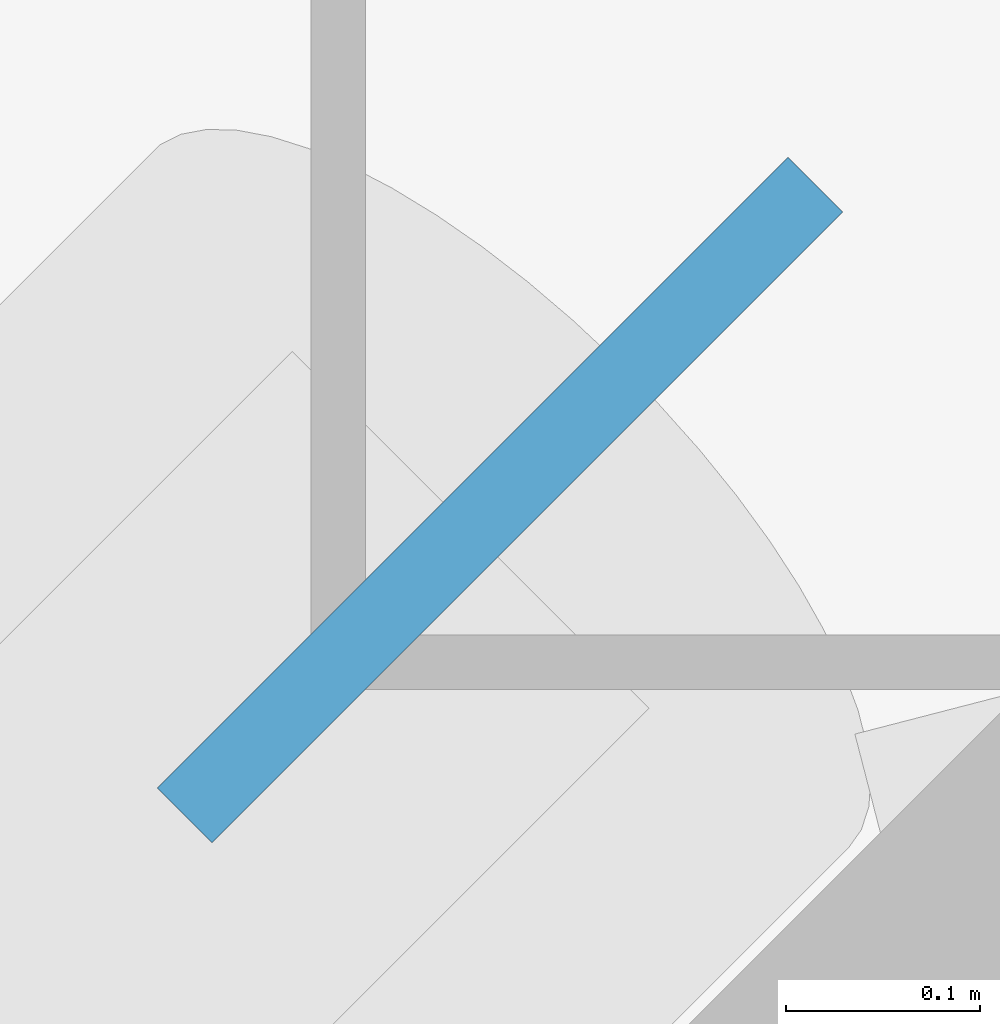
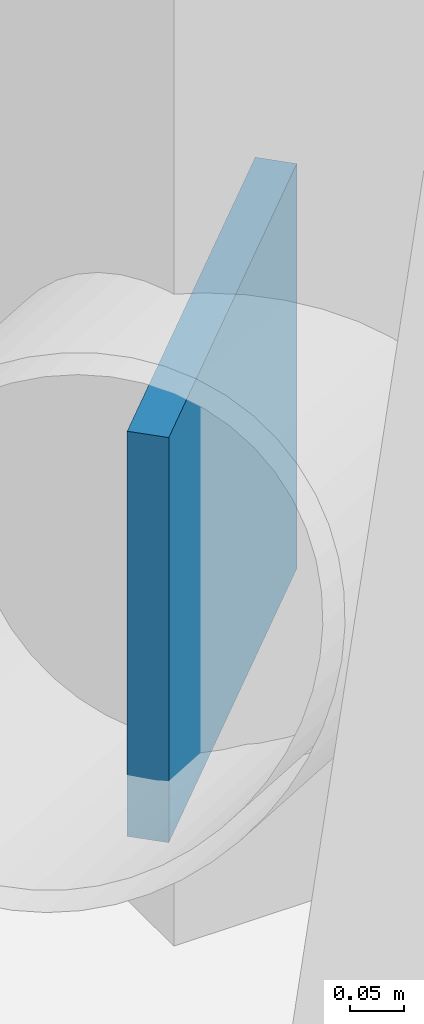
# One storey, part 18 of 20: 1 discrete accessory.
"""IFC4 building model written with IfcOpenShell, lengths in metres."""

from ifc_helpers import new_model, si_unit, direction, frame, origin, origin_2d, place, context, subcontext, project, spatial, rectangle, extrude, material, type_object, element, save


model = new_model("IFC4")

# Units and contexts
model_context = context("Model", 3, precision=1e-05, world=origin(), true_north=direction((0.0, 1.0)))
body_context = subcontext(model_context, "Body", "Model", "MODEL_VIEW")
ifc_project = project(units=[si_unit("LENGTHUNIT", "METRE"), si_unit("AREAUNIT", "SQUARE_METRE"), si_unit("VOLUMEUNIT", "CUBIC_METRE"), si_unit("PLANEANGLEUNIT", "RADIAN"), si_unit("MASSUNIT", "GRAM", prefix="KILO")], contexts=[model_context])

# Site, building, storey
site_placement = place(None, origin())
site = spatial("IfcSite", under=ifc_project, at=site_placement, CompositionType="ELEMENT")
building_placement = place(site_placement, origin())
building = spatial("IfcBuilding", under=site, at=building_placement, Name="Tavrogorsk Clinical Tower", CompositionType="ELEMENT")
storey_placement = place(building_placement, frame((0.0, 0.0, 176.199951171875)))
storey = spatial("IfcBuildingStorey", under=building, at=storey_placement, Name="L40", CompositionType="ELEMENT", Elevation=176.199951171875)

# Discrete accessory
ifc_material = material(Name="Structural steel S440", Category="steel")
discrete_accessory_type = type_object("IfcDiscreteAccessoryType", Name="GussetPlateBracket_25", PredefinedType="BRACKET", material=ifc_material)
discrete_accessory_placement = place(storey_placement, frame((-28.12255859375, 26.217529296875, 0.18310546875), z_axis=(0.0, 0.0, 1.0), x_axis=(-0.707106781187, -0.707106781187, 0.0)))
element("IfcDiscreteAccessory", 1, at=discrete_accessory_placement, inside=storey, type_object=discrete_accessory_type, Name="L40 Brace Gusset Plate EXOCRN-L40-3-A", PredefinedType="BRACKET", context=body_context, shape_type="SweptSolid", body=[
    extrude(rectangle(XDim=0.4599609375, YDim=0.0400390625, at=origin_2d()), origin(), (0.0, 0.0, 1.0), 0.4599609375),
])

save(model, "model.ifc")
